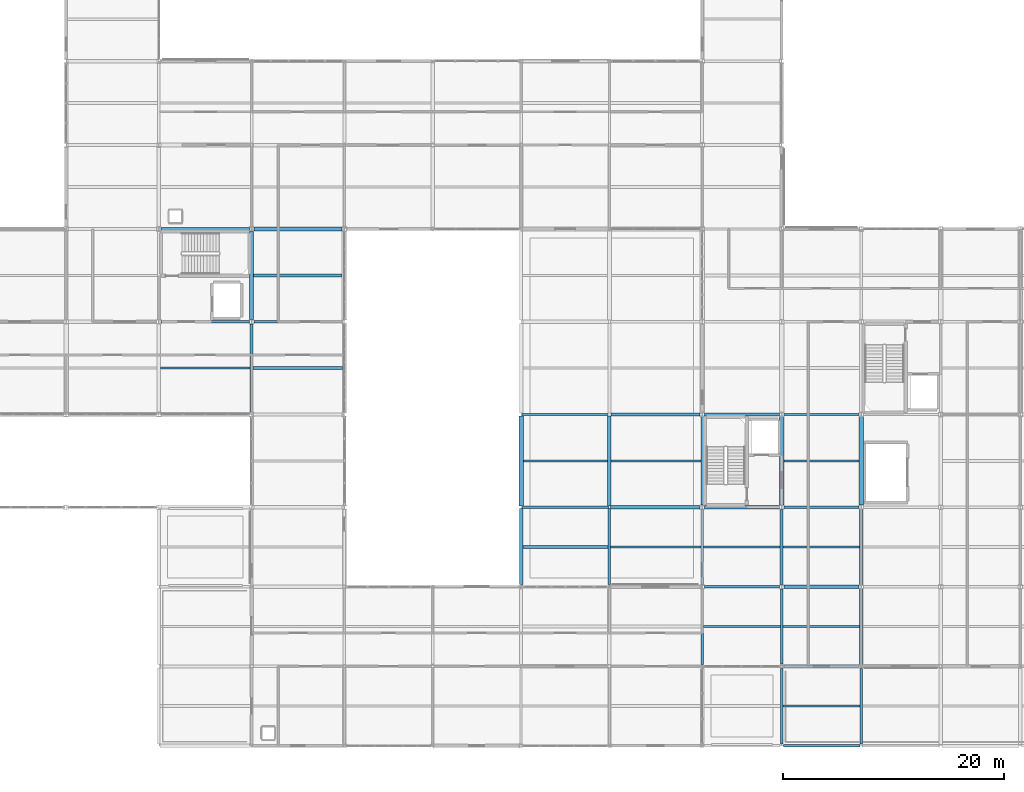
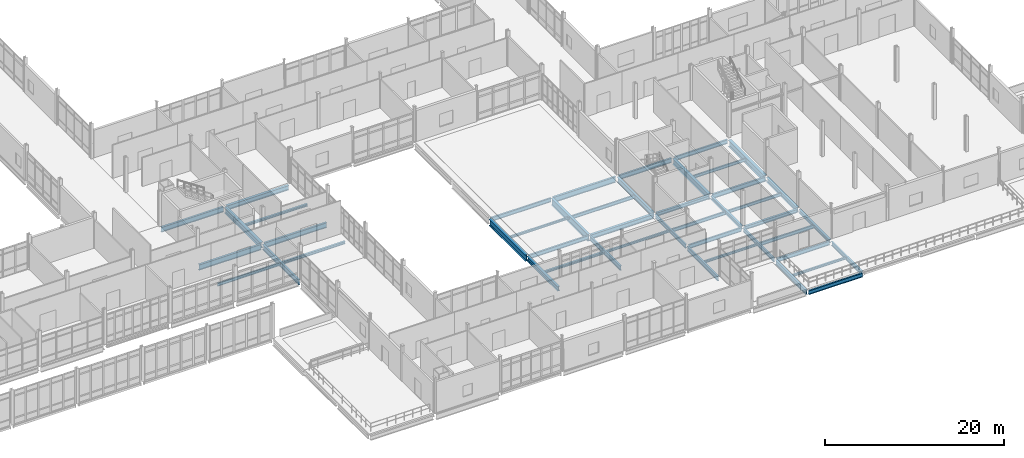
# One storey, part 57 of 186: 46 beams.
"""IFC4 building model written with IfcOpenShell, lengths in metres."""

from ifc_helpers import new_model, si_unit, direction, frame, origin, origin_2d, place, context, subcontext, project, spatial, i_section, extrude, material, material_profile, profile_set, type_object, element, save


model = new_model("IFC4")

# Units and contexts
model_context = context("Model", 3, precision=1e-05, world=origin(), true_north=direction((0.0, 1.0)))
body_context = subcontext(model_context, "Body", "Model", "MODEL_VIEW")
ifc_project = project(units=[si_unit("LENGTHUNIT", "METRE"), si_unit("AREAUNIT", "SQUARE_METRE"), si_unit("VOLUMEUNIT", "CUBIC_METRE"), si_unit("PLANEANGLEUNIT", "RADIAN"), si_unit("MASSUNIT", "GRAM", prefix="KILO")], contexts=[model_context])

# Site, building, storey
site_placement = place(None, origin())
site = spatial("IfcSite", under=ifc_project, at=site_placement, CompositionType="ELEMENT")
building_placement = place(site_placement, origin())
building = spatial("IfcBuilding", under=site, at=building_placement, Name="Calvrana Isthmian Art Gallery", CompositionType="ELEMENT")
storey_placement = place(building_placement, frame((0.0, 0.0, 5.39990234375)))
storey = spatial("IfcBuildingStorey", under=building, at=storey_placement, Name="L01", CompositionType="ELEMENT", Elevation=5.39990234375)

# Beams
ifc_material = material(Name="Steel ASTM A992 Gr 50", Category="steel")
ifc_material_profile_1 = material_profile(ifc_material, i_section(OverallWidth=0.279052734375, OverallDepth=0.4619140625, WebThickness=0.0107421875, FlangeThickness=0.017333984375, FilletRadius=0.02001953125, at=origin_2d()), Name="W18X76")
ifc_profile_set_1 = profile_set([ifc_material_profile_1], Name="Steel ASTM A992 Gr 50")
beam_type_1 = type_object("IfcBeamType", Name="BM-G-W18X76", PredefinedType="BEAM", material=ifc_profile_set_1)
beam_1_placement = place(storey_placement, frame((120.1865234375, 14.39990234375, -0.475830078125), z_axis=(1.0, 0.0, 0.0), x_axis=(0.0, 1.0, 0.0)))
element("IfcBeam", 1, at=beam_1_placement, inside=storey, type_object=beam_type_1, Name="Girder X L01 16-17/C", PredefinedType="BEAM", context=body_context, shape_type="SweptSolid", body=[
    extrude(i_section(OverallWidth=0.279052734375, OverallDepth=0.4619140625, WebThickness=0.0107421875, FlangeThickness=0.017333984375, FilletRadius=0.02001953125, at=origin_2d()), origin(), (0.0, 0.0, 1.0), 6.81396484375),
])
beam_2_placement = place(storey_placement, frame((112.99951171875, 21.60009765625, -0.475830078125), z_axis=(1.0, 0.0, 0.0), x_axis=(0.0, 1.0, 0.0)))
element("IfcBeam", 2, at=beam_2_placement, inside=storey, type_object=beam_type_1, Name="Girder X L01 15-16/D", PredefinedType="BEAM", context=body_context, shape_type="SweptSolid", body=[
    extrude(i_section(OverallWidth=0.279052734375, OverallDepth=0.4619140625, WebThickness=0.0107421875, FlangeThickness=0.017333984375, FilletRadius=0.02001953125, at=origin_2d()), origin(), (0.0, 0.0, 1.0), 6.797607421875),
])
beam_3_placement = place(storey_placement, frame((120.0, 14.58642578125, -0.475830078125), z_axis=(0.0, 1.0, 0.0), x_axis=(-1.0, 0.0, 0.0)))
element("IfcBeam", 3, at=beam_3_placement, inside=storey, type_object=beam_type_1, Name="Girder Y L01 16/C-D", PredefinedType="BEAM", context=body_context, shape_type="SweptSolid", body=[
    extrude(i_section(OverallWidth=0.279052734375, OverallDepth=0.4619140625, WebThickness=0.0107421875, FlangeThickness=0.017333984375, FilletRadius=0.02001953125, at=origin_2d()), origin(), (0.0, 0.0, 1.0), 6.80517578125),
])
beam_4_placement = place(storey_placement, frame((127.199951171875, 7.384033203125, -0.475830078125), z_axis=(0.0, 1.0, 0.0), x_axis=(-1.0, 0.0, 0.0)))
element("IfcBeam", 4, at=beam_4_placement, inside=storey, type_object=beam_type_1, Name="Girder Y L01 17/B-C", PredefinedType="BEAM", context=body_context, shape_type="SweptSolid", body=[
    extrude(i_section(OverallWidth=0.279052734375, OverallDepth=0.4619140625, WebThickness=0.0107421875, FlangeThickness=0.017333984375, FilletRadius=0.02001953125, at=origin_2d()), origin(), (0.0, 0.0, 1.0), 6.822998046875),
])
ifc_material_profile_2 = material_profile(ifc_material, i_section(OverallWidth=0.208984375, OverallDepth=0.532958984375, WebThickness=0.01025390625, FlangeThickness=0.015625, FilletRadius=0.02099609375, at=origin_2d()), Name="W21X62")
ifc_profile_set_2 = profile_set([ifc_material_profile_2], Name="Steel ASTM A992 Gr 50")
beam_type_2 = type_object("IfcBeamType", Name="BM-G-W21X62", PredefinedType="BEAM", material=ifc_profile_set_2)
beam_5_placement = place(storey_placement, frame((120.1865234375, 7.199951171875, -0.511474609375), z_axis=(1.0, 0.0, 0.0), x_axis=(0.0, 1.0, 0.0)))
element("IfcBeam", 5, at=beam_5_placement, inside=storey, type_object=beam_type_2, Name="Girder X L01 16-17/B", PredefinedType="BEAM", context=body_context, shape_type="SweptSolid", body=[
    extrude(i_section(OverallWidth=0.208984375, OverallDepth=0.532958984375, WebThickness=0.01025390625, FlangeThickness=0.015625, FilletRadius=0.02099609375, at=origin_2d()), origin(), (0.0, 0.0, 1.0), 6.826904296875),
])
beam_6_placement = place(storey_placement, frame((112.9970703125, 14.39990234375, -0.511474609375), z_axis=(1.0, 0.0, 0.0), x_axis=(0.0, 1.0, 0.0)))
element("IfcBeam", 6, at=beam_6_placement, inside=storey, type_object=beam_type_2, Name="Girder X L01 15-16/C", PredefinedType="BEAM", context=body_context, shape_type="SweptSolid", body=[
    extrude(i_section(OverallWidth=0.208984375, OverallDepth=0.532958984375, WebThickness=0.01025390625, FlangeThickness=0.015625, FilletRadius=0.02099609375, at=origin_2d()), origin(), (0.0, 0.0, 1.0), 6.81640625),
])
beam_7_placement = place(storey_placement, frame((96.501708984375, 30.0, -0.511474609375), z_axis=(1.0, 0.0, 0.0), x_axis=(0.0, 1.0, 0.0)))
element("IfcBeam", 7, at=beam_7_placement, inside=storey, type_object=beam_type_2, Name="Girder X L01 13-14/E", PredefinedType="BEAM", context=body_context, shape_type="SweptSolid", body=[
    extrude(i_section(OverallWidth=0.208984375, OverallDepth=0.532958984375, WebThickness=0.01025390625, FlangeThickness=0.015625, FilletRadius=0.02099609375, at=origin_2d()), origin(), (0.0, 0.0, 1.0), 7.771240234375),
])
beam_8_placement = place(storey_placement, frame((112.800048828125, 14.587890625, -0.511474609375), z_axis=(0.0, 1.0, 0.0), x_axis=(-1.0, 0.0, 0.0)))
element("IfcBeam", 8, at=beam_8_placement, inside=storey, type_object=beam_type_2, Name="Girder Y L01 15/C-D", PredefinedType="BEAM", context=body_context, shape_type="SweptSolid", body=[
    extrude(i_section(OverallWidth=0.208984375, OverallDepth=0.532958984375, WebThickness=0.01025390625, FlangeThickness=0.015625, FilletRadius=0.02099609375, at=origin_2d()), origin(), (0.0, 0.0, 1.0), 6.815185546875),
])
beam_9_placement = place(storey_placement, frame((120.0, 7.386474609375, -0.511474609375), z_axis=(0.0, 1.0, 0.0), x_axis=(-1.0, 0.0, 0.0)))
element("IfcBeam", 9, at=beam_9_placement, inside=storey, type_object=beam_type_2, Name="Girder Y L01 16/B-C", PredefinedType="BEAM", context=body_context, shape_type="SweptSolid", body=[
    extrude(i_section(OverallWidth=0.208984375, OverallDepth=0.532958984375, WebThickness=0.01025390625, FlangeThickness=0.015625, FilletRadius=0.02099609375, at=origin_2d()), origin(), (0.0, 0.0, 1.0), 6.826904296875),
])
beam_10_placement = place(storey_placement, frame((127.199951171875, 0.15234375, -0.511474609375), z_axis=(0.0, 1.0, 0.0), x_axis=(-1.0, 0.0, 0.0)))
element("IfcBeam", 10, at=beam_10_placement, inside=storey, type_object=beam_type_2, Name="Girder Y L01 17/A-B", PredefinedType="BEAM", context=body_context, shape_type="SweptSolid", body=[
    extrude(i_section(OverallWidth=0.208984375, OverallDepth=0.532958984375, WebThickness=0.01025390625, FlangeThickness=0.015625, FilletRadius=0.02099609375, at=origin_2d()), origin(), (0.0, 0.0, 1.0), 6.86376953125),
])
ifc_material_profile_3 = material_profile(ifc_material, i_section(OverallWidth=0.214111328125, OverallDepth=0.549072265625, WebThickness=0.0146484375, FlangeThickness=0.023681640625, FilletRadius=0.02099609375, at=origin_2d()), Name="W21X93")
ifc_profile_set_3 = profile_set([ifc_material_profile_3], Name="Steel ASTM A992 Gr 50")
beam_type_3 = type_object("IfcBeamType", Name="BM-G-W21X93", PredefinedType="BEAM", material=ifc_profile_set_3)
beam_11_placement = place(storey_placement, frame((120.15234375, 0.0, -0.519287109375), z_axis=(1.0, 0.0, 0.0), x_axis=(0.0, 1.0, 0.0)))
element("IfcBeam", 11, at=beam_11_placement, inside=storey, type_object=beam_type_3, Name="Girder X L01 16-17/A", PredefinedType="BEAM", context=body_context, shape_type="SweptSolid", body=[
    extrude(i_section(OverallWidth=0.214111328125, OverallDepth=0.549072265625, WebThickness=0.0146484375, FlangeThickness=0.023681640625, FilletRadius=0.02099609375, at=origin_2d()), origin(), (0.0, 0.0, 1.0), 6.946044921875),
])
beam_12_placement = place(storey_placement, frame((96.527099609375, 21.60009765625, -0.519287109375), z_axis=(1.0, 0.0, 0.0), x_axis=(0.0, 1.0, 0.0)))
element("IfcBeam", 12, at=beam_12_placement, inside=storey, type_object=beam_type_3, Name="Girder X L01 13-14/D", PredefinedType="BEAM", context=body_context, shape_type="SweptSolid", body=[
    extrude(i_section(OverallWidth=0.214111328125, OverallDepth=0.549072265625, WebThickness=0.0146484375, FlangeThickness=0.023681640625, FilletRadius=0.02099609375, at=origin_2d()), origin(), (0.0, 0.0, 1.0), 7.771240234375),
])
beam_13_placement = place(storey_placement, frame((120.199462890625, 30.0, -0.519287109375), z_axis=(1.0, 0.0, 0.0), x_axis=(0.0, 1.0, 0.0)))
element("IfcBeam", 13, at=beam_13_placement, inside=storey, type_object=beam_type_3, Name="Girder X L01 16-17/E", PredefinedType="BEAM", context=body_context, shape_type="SweptSolid", body=[
    extrude(i_section(OverallWidth=0.214111328125, OverallDepth=0.549072265625, WebThickness=0.0146484375, FlangeThickness=0.023681640625, FilletRadius=0.02099609375, at=origin_2d()), origin(), (0.0, 0.0, 1.0), 6.798583984375),
])
ifc_material_profile_4 = material_profile(ifc_material, i_section(OverallWidth=0.324951171875, OverallDepth=0.612060546875, WebThickness=0.0126953125, FlangeThickness=0.01904296875, FilletRadius=0.02197265625, at=origin_2d()), Name="W24X104")
ifc_profile_set_4 = profile_set([ifc_material_profile_4], Name="Steel ASTM A992 Gr 50")
beam_type_4 = type_object("IfcBeamType", Name="BM-G-W24X104", PredefinedType="BEAM", material=ifc_profile_set_4)
beam_14_placement = place(storey_placement, frame((104.501708984375, 21.60009765625, -0.55078125), z_axis=(1.0, 0.0, 0.0), x_axis=(0.0, 1.0, 0.0)))
element("IfcBeam", 14, at=beam_14_placement, inside=storey, type_object=beam_type_4, Name="Girder X L01 14-15/D", PredefinedType="BEAM", context=body_context, shape_type="SweptSolid", body=[
    extrude(i_section(OverallWidth=0.324951171875, OverallDepth=0.612060546875, WebThickness=0.0126953125, FlangeThickness=0.01904296875, FilletRadius=0.02197265625, at=origin_2d()), origin(), (0.0, 0.0, 1.0), 8.098876953125),
])
beam_15_placement = place(storey_placement, frame((96.39990234375, 14.58642578125, -0.55078125), z_axis=(0.0, 1.0, 0.0), x_axis=(-1.0, 0.0, 0.0)))
element("IfcBeam", 15, at=beam_15_placement, inside=storey, type_object=beam_type_4, Name="Girder Y L01 13/C-D", PredefinedType="BEAM", context=body_context, shape_type="SweptSolid", body=[
    extrude(i_section(OverallWidth=0.324951171875, OverallDepth=0.612060546875, WebThickness=0.0126953125, FlangeThickness=0.01904296875, FilletRadius=0.02197265625, at=origin_2d()), origin(), (0.0, 0.0, 1.0), 6.886474609375),
])
beam_16_placement = place(storey_placement, frame((127.199951171875, 14.593017578125, -0.55078125), z_axis=(0.0, 1.0, 0.0), x_axis=(-1.0, 0.0, 0.0)))
element("IfcBeam", 16, at=beam_16_placement, inside=storey, type_object=beam_type_4, Name="Girder Y L01 17/C-D", PredefinedType="BEAM", context=body_context, shape_type="SweptSolid", body=[
    extrude(i_section(OverallWidth=0.324951171875, OverallDepth=0.612060546875, WebThickness=0.0126953125, FlangeThickness=0.01904296875, FilletRadius=0.02197265625, at=origin_2d()), origin(), (0.0, 0.0, 1.0), 6.807373046875),
])
ifc_material_profile_5 = material_profile(ifc_material, i_section(OverallWidth=0.327880859375, OverallDepth=0.6220703125, WebThickness=0.015380859375, FlangeThickness=0.0244140625, FilletRadius=0.02197265625, at=origin_2d()), Name="W24X131")
ifc_profile_set_5 = profile_set([ifc_material_profile_5], Name="Steel ASTM A992 Gr 50")
beam_type_5 = type_object("IfcBeamType", Name="BM-G-W24X131", PredefinedType="BEAM", material=ifc_profile_set_5)
beam_17_placement = place(storey_placement, frame((72.202880859375, 46.800048828125, -0.555908203125), z_axis=(1.0, 0.0, 0.0), x_axis=(0.0, 1.0, 0.0)))
element("IfcBeam", 17, at=beam_17_placement, inside=storey, type_object=beam_type_5, Name="Girder X L01 10-11/G", PredefinedType="BEAM", context=body_context, shape_type="SweptSolid", body=[
    extrude(i_section(OverallWidth=0.327880859375, OverallDepth=0.6220703125, WebThickness=0.015380859375, FlangeThickness=0.0244140625, FilletRadius=0.02197265625, at=origin_2d()), origin(), (0.0, 0.0, 1.0), 7.99658203125),
])
ifc_material_profile_6 = material_profile(ifc_material, i_section(OverallWidth=0.22802734375, OverallDepth=0.60693359375, WebThickness=0.01123046875, FlangeThickness=0.017333984375, FilletRadius=0.02197265625, at=origin_2d()), Name="W24X76")
ifc_profile_set_6 = profile_set([ifc_material_profile_6], Name="Steel ASTM A992 Gr 50")
beam_type_6 = type_object("IfcBeamType", Name="BM-G-W24X76", PredefinedType="BEAM", material=ifc_profile_set_6)
beam_18_placement = place(storey_placement, frame((120.202880859375, 21.60009765625, -0.54833984375), z_axis=(1.0, 0.0, 0.0), x_axis=(0.0, 1.0, 0.0)))
element("IfcBeam", 18, at=beam_18_placement, inside=storey, type_object=beam_type_6, Name="Girder X L01 16-17/D", PredefinedType="BEAM", context=body_context, shape_type="SweptSolid", body=[
    extrude(i_section(OverallWidth=0.22802734375, OverallDepth=0.60693359375, WebThickness=0.01123046875, FlangeThickness=0.017333984375, FilletRadius=0.02197265625, at=origin_2d()), origin(), (0.0, 0.0, 1.0), 6.796630859375),
])
beam_19_placement = place(storey_placement, frame((113.00048828125, 30.0, -0.54833984375), z_axis=(1.0, 0.0, 0.0), x_axis=(0.0, 1.0, 0.0)))
element("IfcBeam", 19, at=beam_19_placement, inside=storey, type_object=beam_type_6, Name="Girder X L01 15-16/E", PredefinedType="BEAM", context=body_context, shape_type="SweptSolid", body=[
    extrude(i_section(OverallWidth=0.22802734375, OverallDepth=0.60693359375, WebThickness=0.01123046875, FlangeThickness=0.017333984375, FilletRadius=0.02197265625, at=origin_2d()), origin(), (0.0, 0.0, 1.0), 6.800048828125),
])
beam_20_placement = place(storey_placement, frame((104.39990234375, 14.583984375, -0.54833984375), z_axis=(0.0, 1.0, 0.0), x_axis=(-1.0, 0.0, 0.0)))
element("IfcBeam", 20, at=beam_20_placement, inside=storey, type_object=beam_type_6, Name="Girder Y L01 14/C-D", PredefinedType="BEAM", context=body_context, shape_type="SweptSolid", body=[
    extrude(i_section(OverallWidth=0.22802734375, OverallDepth=0.60693359375, WebThickness=0.01123046875, FlangeThickness=0.017333984375, FilletRadius=0.02197265625, at=origin_2d()), origin(), (0.0, 0.0, 1.0), 6.914306640625),
])
beam_21_placement = place(storey_placement, frame((112.800048828125, 7.3779296875, -0.54833984375), z_axis=(0.0, 1.0, 0.0), x_axis=(-1.0, 0.0, 0.0)))
element("IfcBeam", 21, at=beam_21_placement, inside=storey, type_object=beam_type_6, Name="Girder Y L01 15/B-C", PredefinedType="BEAM", context=body_context, shape_type="SweptSolid", body=[
    extrude(i_section(OverallWidth=0.22802734375, OverallDepth=0.60693359375, WebThickness=0.01123046875, FlangeThickness=0.017333984375, FilletRadius=0.02197265625, at=origin_2d()), origin(), (0.0, 0.0, 1.0), 6.833984375),
])
beam_22_placement = place(storey_placement, frame((120.0, 0.15234375, -0.54833984375), z_axis=(0.0, 1.0, 0.0), x_axis=(-1.0, 0.0, 0.0)))
element("IfcBeam", 22, at=beam_22_placement, inside=storey, type_object=beam_type_6, Name="Girder Y L01 16/A-B", PredefinedType="BEAM", context=body_context, shape_type="SweptSolid", body=[
    extrude(i_section(OverallWidth=0.22802734375, OverallDepth=0.60693359375, WebThickness=0.01123046875, FlangeThickness=0.017333984375, FilletRadius=0.02197265625, at=origin_2d()), origin(), (0.0, 0.0, 1.0), 6.861083984375),
])
ifc_material_profile_7 = material_profile(ifc_material, i_section(OverallWidth=0.257080078125, OverallDepth=0.693115234375, WebThickness=0.014404296875, FlangeThickness=0.023681640625, FilletRadius=0.02392578125, at=origin_2d()), Name="W27X114")
ifc_profile_set_7 = profile_set([ifc_material_profile_7], Name="Steel ASTM A992 Gr 50")
beam_type_7 = type_object("IfcBeamType", Name="BM-G-W27X114", PredefinedType="BEAM", material=ifc_profile_set_7)
beam_23_placement = place(storey_placement, frame((72.197021484375, 38.39990234375, -0.59130859375), z_axis=(1.0, 0.0, 0.0), x_axis=(0.0, 1.0, 0.0)))
element("IfcBeam", 23, at=beam_23_placement, inside=storey, type_object=beam_type_7, Name="Girder X L01 10-11/F", PredefinedType="BEAM", context=body_context, shape_type="SweptSolid", body=[
    extrude(i_section(OverallWidth=0.257080078125, OverallDepth=0.693115234375, WebThickness=0.014404296875, FlangeThickness=0.023681640625, FilletRadius=0.02392578125, at=origin_2d()), origin(), (0.0, 0.0, 1.0), 8.016357421875),
])
beam_24_placement = place(storey_placement, frame((63.799560546875, 46.800048828125, -0.59130859375), z_axis=(1.0, 0.0, 0.0), x_axis=(0.0, 1.0, 0.0)))
element("IfcBeam", 24, at=beam_24_placement, inside=storey, type_object=beam_type_7, Name="Girder X L01 09-10/G", PredefinedType="BEAM", context=body_context, shape_type="SweptSolid", body=[
    extrude(i_section(OverallWidth=0.257080078125, OverallDepth=0.693115234375, WebThickness=0.014404296875, FlangeThickness=0.023681640625, FilletRadius=0.02392578125, at=origin_2d()), origin(), (0.0, 0.0, 1.0), 7.99755859375),
])
beam_25_placement = place(storey_placement, frame((72.0, 30.1865234375, -0.59130859375), z_axis=(0.0, 1.0, 0.0), x_axis=(-1.0, 0.0, 0.0)))
element("IfcBeam", 25, at=beam_25_placement, inside=storey, type_object=beam_type_7, Name="Girder Y L01 10/E-F", PredefinedType="BEAM", context=body_context, shape_type="SweptSolid", body=[
    extrude(i_section(OverallWidth=0.257080078125, OverallDepth=0.693115234375, WebThickness=0.014404296875, FlangeThickness=0.023681640625, FilletRadius=0.02392578125, at=origin_2d()), origin(), (0.0, 0.0, 1.0), 8.025390625),
])
beam_26_placement = place(storey_placement, frame((112.800048828125, 21.797119140625, -0.59130859375), z_axis=(0.0, 1.0, 0.0), x_axis=(-1.0, 0.0, 0.0)))
element("IfcBeam", 26, at=beam_26_placement, inside=storey, type_object=beam_type_7, Name="Girder Y L01 15/D-E", PredefinedType="BEAM", context=body_context, shape_type="SweptSolid", body=[
    extrude(i_section(OverallWidth=0.257080078125, OverallDepth=0.693115234375, WebThickness=0.014404296875, FlangeThickness=0.023681640625, FilletRadius=0.02392578125, at=origin_2d()), origin(), (0.0, 0.0, 1.0), 8.00341796875),
])
ifc_material_profile_8 = material_profile(ifc_material, i_section(OverallWidth=0.26708984375, OverallDepth=0.761962890625, WebThickness=0.014404296875, FlangeThickness=0.021484375, FilletRadius=0.02490234375, at=origin_2d()), Name="W30X116")
ifc_profile_set_8 = profile_set([ifc_material_profile_8], Name="Steel ASTM A992 Gr 50")
beam_type_8 = type_object("IfcBeamType", Name="BM-G-W30X116", PredefinedType="BEAM", material=ifc_profile_set_8)
beam_27_placement = place(storey_placement, frame((104.527099609375, 30.0, -0.6259765625), z_axis=(1.0, 0.0, 0.0), x_axis=(0.0, 1.0, 0.0)))
element("IfcBeam", 27, at=beam_27_placement, inside=storey, type_object=beam_type_8, Name="Girder X L01 14-15/E", PredefinedType="BEAM", context=body_context, shape_type="SweptSolid", body=[
    extrude(i_section(OverallWidth=0.26708984375, OverallDepth=0.761962890625, WebThickness=0.014404296875, FlangeThickness=0.021484375, FilletRadius=0.02490234375, at=origin_2d()), origin(), (0.0, 0.0, 1.0), 8.072509765625),
])
beam_28_placement = place(storey_placement, frame((63.798095703125, 38.39990234375, -0.6259765625), z_axis=(1.0, 0.0, 0.0), x_axis=(0.0, 1.0, 0.0)))
element("IfcBeam", 28, at=beam_28_placement, inside=storey, type_object=beam_type_8, Name="Girder X L01 09-10/F", PredefinedType="BEAM", context=body_context, shape_type="SweptSolid", body=[
    extrude(i_section(OverallWidth=0.26708984375, OverallDepth=0.761962890625, WebThickness=0.014404296875, FlangeThickness=0.021484375, FilletRadius=0.02490234375, at=origin_2d()), origin(), (0.0, 0.0, 1.0), 8.0048828125),
])
ifc_material_profile_9 = material_profile(ifc_material, i_section(OverallWidth=0.381103515625, OverallDepth=0.77197265625, WebThickness=0.0166015625, FlangeThickness=0.027099609375, FilletRadius=0.02490234375, at=origin_2d()), Name="W30X173")
ifc_profile_set_9 = profile_set([ifc_material_profile_9], Name="Steel ASTM A992 Gr 50")
beam_type_9 = type_object("IfcBeamType", Name="BM-G-W30X173", PredefinedType="BEAM", material=ifc_profile_set_9)
beam_29_placement = place(storey_placement, frame((72.0, 38.587890625, -0.630859375), z_axis=(0.0, 1.0, 0.0), x_axis=(-1.0, 0.0, 0.0)))
element("IfcBeam", 29, at=beam_29_placement, inside=storey, type_object=beam_type_9, Name="Girder Y L01 10/F-G", PredefinedType="BEAM", context=body_context, shape_type="SweptSolid", body=[
    extrude(i_section(OverallWidth=0.381103515625, OverallDepth=0.77197265625, WebThickness=0.0166015625, FlangeThickness=0.027099609375, FilletRadius=0.02490234375, at=origin_2d()), origin(), (0.0, 0.0, 1.0), 8.003662109375),
])
beam_30_placement = place(storey_placement, frame((120.0, 21.80859375, -0.630859375), z_axis=(0.0, 1.0, 0.0), x_axis=(-1.0, 0.0, 0.0)))
element("IfcBeam", 30, at=beam_30_placement, inside=storey, type_object=beam_type_9, Name="Girder Y L01 16/D-E", PredefinedType="BEAM", context=body_context, shape_type="SweptSolid", body=[
    extrude(i_section(OverallWidth=0.381103515625, OverallDepth=0.77197265625, WebThickness=0.0166015625, FlangeThickness=0.027099609375, FilletRadius=0.02490234375, at=origin_2d()), origin(), (0.0, 0.0, 1.0), 7.998291015625),
])
ifc_material_profile_10 = material_profile(ifc_material, i_section(OverallWidth=0.40087890625, OverallDepth=0.85595703125, WebThickness=0.018310546875, FlangeThickness=0.029296875, FilletRadius=0.02587890625, at=origin_2d()), Name="W33X201")
ifc_profile_set_10 = profile_set([ifc_material_profile_10], Name="Steel ASTM A992 Gr 50")
beam_type_10 = type_object("IfcBeamType", Name="BM-G-W33X201", PredefinedType="BEAM", material=ifc_profile_set_10)
beam_31_placement = place(storey_placement, frame((96.39990234375, 21.72705078125, -0.6728515625), z_axis=(0.0, 1.0, 0.0), x_axis=(-1.0, 0.0, 0.0)))
element("IfcBeam", 31, at=beam_31_placement, inside=storey, type_object=beam_type_10, Name="Girder Y L01 13/D-E", PredefinedType="BEAM", context=body_context, shape_type="SweptSolid", body=[
    extrude(i_section(OverallWidth=0.40087890625, OverallDepth=0.85595703125, WebThickness=0.018310546875, FlangeThickness=0.029296875, FilletRadius=0.02587890625, at=origin_2d()), origin(), (0.0, 0.0, 1.0), 8.12060546875),
])
beam_32_placement = place(storey_placement, frame((127.199951171875, 21.799560546875, -0.6728515625), z_axis=(0.0, 1.0, 0.0), x_axis=(-1.0, 0.0, 0.0)))
element("IfcBeam", 32, at=beam_32_placement, inside=storey, type_object=beam_type_10, Name="Girder Y L01 17/D-E", PredefinedType="BEAM", context=body_context, shape_type="SweptSolid", body=[
    extrude(i_section(OverallWidth=0.40087890625, OverallDepth=0.85595703125, WebThickness=0.018310546875, FlangeThickness=0.029296875, FilletRadius=0.02587890625, at=origin_2d()), origin(), (0.0, 0.0, 1.0), 7.99755859375),
])
ifc_material_profile_11 = material_profile(ifc_material, i_section(OverallWidth=0.306884765625, OverallDepth=0.927001953125, WebThickness=0.019287109375, FlangeThickness=0.031982421875, FilletRadius=0.028076171875, at=origin_2d()), Name="W36X194")
ifc_profile_set_11 = profile_set([ifc_material_profile_11], Name="Steel ASTM A992 Gr 50")
beam_type_11 = type_object("IfcBeamType", Name="BM-G-W36X194", PredefinedType="BEAM", material=ifc_profile_set_11)
beam_33_placement = place(storey_placement, frame((104.39990234375, 21.70166015625, -0.70849609375), z_axis=(0.0, 1.0, 0.0), x_axis=(-1.0, 0.0, 0.0)))
element("IfcBeam", 33, at=beam_33_placement, inside=storey, type_object=beam_type_11, Name="Girder Y L01 14/D-E", PredefinedType="BEAM", context=body_context, shape_type="SweptSolid", body=[
    extrude(i_section(OverallWidth=0.306884765625, OverallDepth=0.927001953125, WebThickness=0.019287109375, FlangeThickness=0.031982421875, FilletRadius=0.028076171875, at=origin_2d()), origin(), (0.0, 0.0, 1.0), 8.17138671875),
])
ifc_material_profile_12 = material_profile(ifc_material, i_section(OverallWidth=0.202880859375, OverallDepth=0.302001953125, WebThickness=0.007568359375, FlangeThickness=0.01318359375, FilletRadius=0.01611328125, at=origin_2d()), Name="W12X40")
ifc_profile_set_12 = profile_set([ifc_material_profile_12], Name="Steel ASTM A992 Gr 50")
beam_type_12 = type_object("IfcBeamType", Name="BM-J-W12X40", PredefinedType="JOIST", material=ifc_profile_set_12)
beam_34_placement = place(storey_placement, frame((96.6005859375, 25.800048828125, -0.39599609375), z_axis=(1.0, 0.0, 0.0), x_axis=(0.0, 1.0, 0.0)))
element("IfcBeam", 34, at=beam_34_placement, inside=storey, type_object=beam_type_12, Name="Composite joist L01 bay 12-03", PredefinedType="JOIST", context=body_context, shape_type="SweptSolid", body=[
    extrude(i_section(OverallWidth=0.202880859375, OverallDepth=0.302001953125, WebThickness=0.007568359375, FlangeThickness=0.01318359375, FilletRadius=0.01611328125, at=origin_2d()), origin(), (0.0, 0.0, 1.0), 7.64599609375),
])
beam_35_placement = place(storey_placement, frame((104.513916015625, 18.0, -0.39599609375), z_axis=(1.0, 0.0, 0.0), x_axis=(0.0, 1.0, 0.0)))
element("IfcBeam", 35, at=beam_35_placement, inside=storey, type_object=beam_type_12, Name="Composite joist L01 bay 13-02", PredefinedType="JOIST", context=body_context, shape_type="SweptSolid", body=[
    extrude(i_section(OverallWidth=0.202880859375, OverallDepth=0.302001953125, WebThickness=0.007568359375, FlangeThickness=0.01318359375, FilletRadius=0.01611328125, at=origin_2d()), origin(), (0.0, 0.0, 1.0), 8.181640625),
])
for number, where, z_axis, x_axis, name in (
    (36, (112.9140625, 10.800048828125, -0.39599609375), (1.0, 0.0, 0.0), (0.0, 1.0, 0.0), "Composite joist L01 bay 14-01"),
    (37, (120.114013671875, 3.60009765625, -0.39599609375), (1.0, 0.0, 0.0), (0.0, 1.0, 0.0), "Composite joist L01 bay 15-00"),
):
    element("IfcBeam", number, at=place(storey_placement, frame(where, z_axis=z_axis, x_axis=x_axis)), inside=storey, type_object=beam_type_12, Name=name, PredefinedType="JOIST", context=body_context, shape_type="SweptSolid", body=[
        extrude(i_section(OverallWidth=0.202880859375, OverallDepth=0.302001953125, WebThickness=0.007568359375, FlangeThickness=0.01318359375, FilletRadius=0.01611328125, at=origin_2d()), origin(), (0.0, 0.0, 1.0), 6.9814453125),
    ])
ifc_material_profile_13 = material_profile(ifc_material, i_section(OverallWidth=0.25390625, OverallDepth=0.306884765625, WebThickness=0.0087890625, FlangeThickness=0.0146484375, FilletRadius=0.01611328125, at=origin_2d()), Name="W12X53")
ifc_profile_set_13 = profile_set([ifc_material_profile_13], Name="Steel ASTM A992 Gr 50")
beam_type_13 = type_object("IfcBeamType", Name="BM-J-W12X53", PredefinedType="JOIST", material=ifc_profile_set_13)
beam_36_placement = place(storey_placement, frame((72.1904296875, 42.60009765625, -0.3984375), z_axis=(1.0, 0.0, 0.0), x_axis=(0.0, 1.0, 0.0)))
element("IfcBeam", 38, at=beam_36_placement, inside=storey, type_object=beam_type_13, Name="Composite joist L01 bay 09-05", PredefinedType="JOIST", context=body_context, shape_type="SweptSolid", body=[
    extrude(i_section(OverallWidth=0.25390625, OverallDepth=0.306884765625, WebThickness=0.0087890625, FlangeThickness=0.0146484375, FilletRadius=0.01611328125, at=origin_2d()), origin(), (0.0, 0.0, 1.0), 8.009033203125),
])
beam_37_placement = place(storey_placement, frame((96.5625, 18.0, -0.3984375), z_axis=(1.0, 0.0, 0.0), x_axis=(0.0, 1.0, 0.0)))
element("IfcBeam", 39, at=beam_37_placement, inside=storey, type_object=beam_type_13, Name="Composite joist L01 bay 12-02", PredefinedType="JOIST", context=body_context, shape_type="SweptSolid", body=[
    extrude(i_section(OverallWidth=0.25390625, OverallDepth=0.306884765625, WebThickness=0.0087890625, FlangeThickness=0.0146484375, FilletRadius=0.01611328125, at=origin_2d()), origin(), (0.0, 0.0, 1.0), 7.723388671875),
])
ifc_material_profile_14 = material_profile(ifc_material, i_section(OverallWidth=0.25390625, OverallDepth=0.35302734375, WebThickness=0.009521484375, FlangeThickness=0.016357421875, FilletRadius=0.01806640625, at=origin_2d()), Name="W14X61")
ifc_profile_set_14 = profile_set([ifc_material_profile_14], Name="Steel ASTM A992 Gr 50")
beam_type_14 = type_object("IfcBeamType", Name="BM-J-W14X61", PredefinedType="JOIST", material=ifc_profile_set_14)
beam_38_placement = place(storey_placement, frame((72.12841796875, 34.199951171875, -0.42138671875), z_axis=(1.0, 0.0, 0.0), x_axis=(0.0, 1.0, 0.0)))
element("IfcBeam", 40, at=beam_38_placement, inside=storey, type_object=beam_type_14, Name="Composite joist L01 bay 09-04", PredefinedType="JOIST", context=body_context, shape_type="SweptSolid", body=[
    extrude(i_section(OverallWidth=0.25390625, OverallDepth=0.35302734375, WebThickness=0.009521484375, FlangeThickness=0.016357421875, FilletRadius=0.01806640625, at=origin_2d()), origin(), (0.0, 0.0, 1.0), 8.0810546875),
])
ifc_material_profile_15 = material_profile(ifc_material, i_section(OverallWidth=0.177978515625, OverallDepth=0.404052734375, WebThickness=0.007568359375, FlangeThickness=0.010986328125, FilletRadius=0.01806640625, at=origin_2d()), Name="W16X36")
ifc_profile_set_15 = profile_set([ifc_material_profile_15], Name="Steel ASTM A992 Gr 50")
beam_type_15 = type_object("IfcBeamType", Name="BM-J-W16X36", PredefinedType="JOIST", material=ifc_profile_set_15)
beam_39_placement = place(storey_placement, frame((63.75341796875, 34.199951171875, -0.447021484375), z_axis=(1.0, 0.0, 0.0), x_axis=(0.0, 1.0, 0.0)))
element("IfcBeam", 41, at=beam_39_placement, inside=storey, type_object=beam_type_15, Name="Composite joist L01 bay 08-04", PredefinedType="JOIST", context=body_context, shape_type="SweptSolid", body=[
    extrude(i_section(OverallWidth=0.177978515625, OverallDepth=0.404052734375, WebThickness=0.007568359375, FlangeThickness=0.010986328125, FilletRadius=0.01806640625, at=origin_2d()), origin(), (0.0, 0.0, 1.0), 8.1181640625),
])
beam_40_placement = place(storey_placement, frame((120.1904296875, 25.800048828125, -0.447021484375), z_axis=(1.0, 0.0, 0.0), x_axis=(0.0, 1.0, 0.0)))
element("IfcBeam", 42, at=beam_40_placement, inside=storey, type_object=beam_type_15, Name="Composite joist L01 bay 15-03", PredefinedType="JOIST", context=body_context, shape_type="SweptSolid", body=[
    extrude(i_section(OverallWidth=0.177978515625, OverallDepth=0.404052734375, WebThickness=0.007568359375, FlangeThickness=0.010986328125, FilletRadius=0.01806640625, at=origin_2d()), origin(), (0.0, 0.0, 1.0), 6.80908203125),
])
ifc_material_profile_16 = material_profile(ifc_material, i_section(OverallWidth=0.179931640625, OverallDepth=0.4140625, WebThickness=0.009765625, FlangeThickness=0.01611328125, FilletRadius=0.01806640625, at=origin_2d()), Name="W16X50")
ifc_profile_set_16 = profile_set([ifc_material_profile_16], Name="Steel ASTM A992 Gr 50")
beam_type_16 = type_object("IfcBeamType", Name="BM-J-W16X50", PredefinedType="JOIST", material=ifc_profile_set_16)
beam_41_placement = place(storey_placement, frame((120.139404296875, 18.0, -0.451904296875), z_axis=(1.0, 0.0, 0.0), x_axis=(0.0, 1.0, 0.0)))
element("IfcBeam", 43, at=beam_41_placement, inside=storey, type_object=beam_type_16, Name="Composite joist L01 bay 15-02", PredefinedType="JOIST", context=body_context, shape_type="SweptSolid", body=[
    extrude(i_section(OverallWidth=0.179931640625, OverallDepth=0.4140625, WebThickness=0.009765625, FlangeThickness=0.01611328125, FilletRadius=0.01806640625, at=origin_2d()), origin(), (0.0, 0.0, 1.0), 6.898193359375),
])
ifc_material_profile_17 = material_profile(ifc_material, i_section(OverallWidth=0.19091796875, OverallDepth=0.45703125, WebThickness=0.009033203125, FlangeThickness=0.014404296875, FilletRadius=0.02001953125, at=origin_2d()), Name="W18X50")
ifc_profile_set_17 = profile_set([ifc_material_profile_17], Name="Steel ASTM A992 Gr 50")
beam_type_17 = type_object("IfcBeamType", Name="BM-J-W18X50", PredefinedType="JOIST", material=ifc_profile_set_17)
beam_42_placement = place(storey_placement, frame((104.553466796875, 25.800048828125, -0.473388671875), z_axis=(1.0, 0.0, 0.0), x_axis=(0.0, 1.0, 0.0)))
element("IfcBeam", 44, at=beam_42_placement, inside=storey, type_object=beam_type_17, Name="Composite joist L01 bay 13-03", PredefinedType="JOIST", context=body_context, shape_type="SweptSolid", body=[
    extrude(i_section(OverallWidth=0.19091796875, OverallDepth=0.45703125, WebThickness=0.009033203125, FlangeThickness=0.014404296875, FilletRadius=0.02001953125, at=origin_2d()), origin(), (0.0, 0.0, 1.0), 8.117919921875),
])
for number, where, z_axis, x_axis, name in (
    (45, (112.904541015625, 18.0, -0.473388671875), (1.0, 0.0, 0.0), (0.0, 1.0, 0.0), "Composite joist L01 bay 14-02"),
    (46, (120.1044921875, 10.800048828125, -0.473388671875), (1.0, 0.0, 0.0), (0.0, 1.0, 0.0), "Composite joist L01 bay 15-01"),
):
    element("IfcBeam", number, at=place(storey_placement, frame(where, z_axis=z_axis, x_axis=x_axis)), inside=storey, type_object=beam_type_17, Name=name, PredefinedType="JOIST", context=body_context, shape_type="SweptSolid", body=[
        extrude(i_section(OverallWidth=0.19091796875, OverallDepth=0.45703125, WebThickness=0.009033203125, FlangeThickness=0.014404296875, FilletRadius=0.02001953125, at=origin_2d()), origin(), (0.0, 0.0, 1.0), 6.9560546875),
    ])

save(model, "model.ifc")
